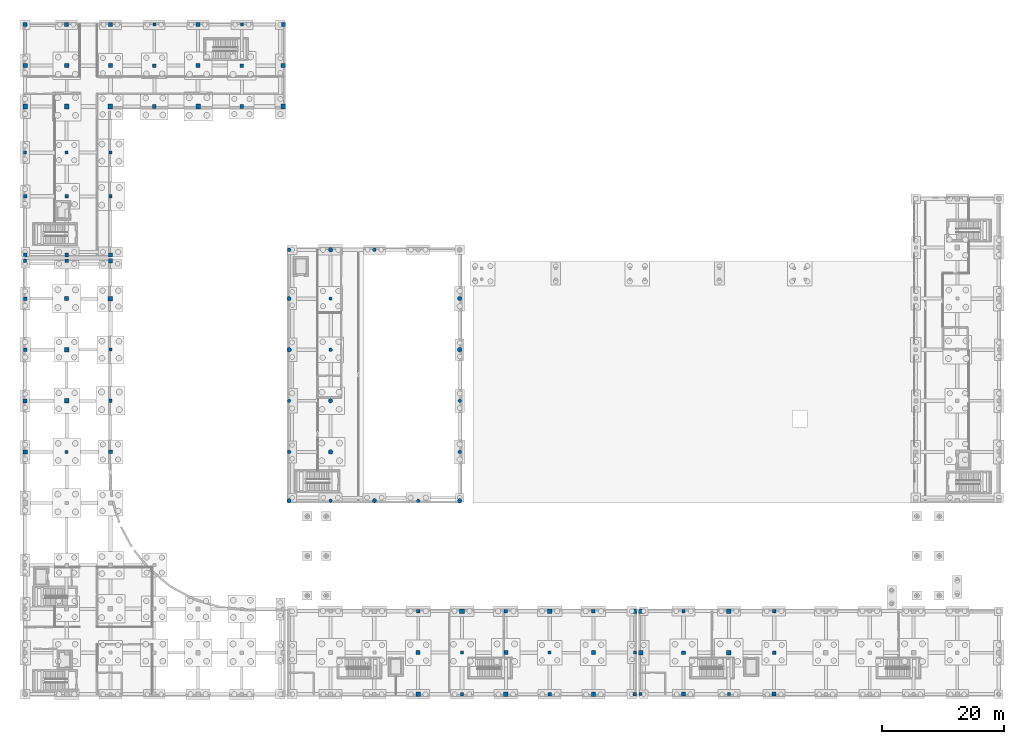
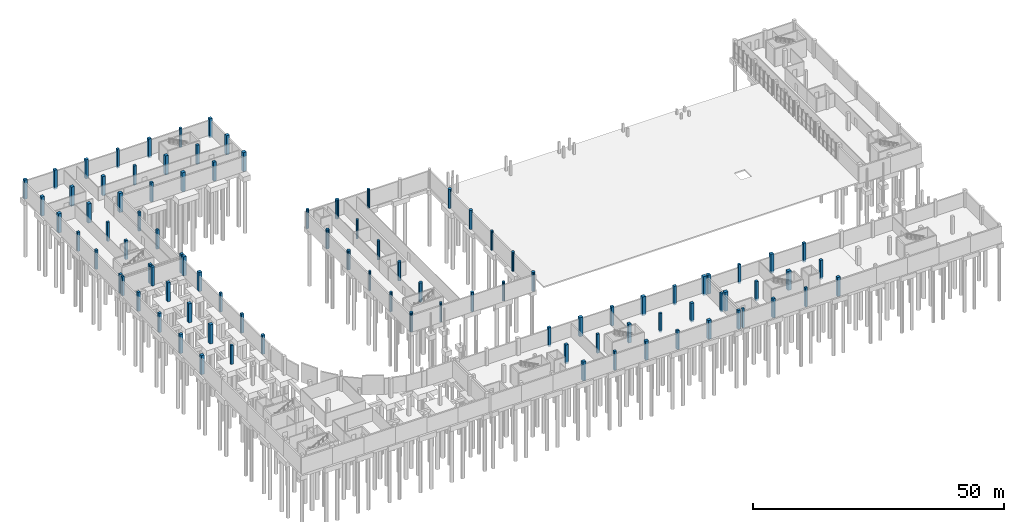
# One storey, part 13 of 41: 95 columns.
"""IFC4 building model written with IfcOpenShell, lengths in metres."""

from ifc_helpers import new_model, si_unit, direction, frame, origin, origin_2d, place, context, subcontext, project, spatial, rectangle, circle, extrude, material, material_profile, profile_set, type_object, element, save


model = new_model("IFC4")

# Units and contexts
model_context = context("Model", 3, precision=1e-05, world=origin(), true_north=direction((0.0, 1.0)))
body_context = subcontext(model_context, "Body", "Model", "MODEL_VIEW")
ifc_project = project(units=[si_unit("LENGTHUNIT", "METRE"), si_unit("AREAUNIT", "SQUARE_METRE"), si_unit("VOLUMEUNIT", "CUBIC_METRE"), si_unit("PLANEANGLEUNIT", "RADIAN"), si_unit("MASSUNIT", "GRAM", prefix="KILO")], contexts=[model_context])

# Site, building, storey
site_placement = place(None, origin())
site = spatial("IfcSite", under=ifc_project, at=site_placement, CompositionType="ELEMENT")
building_placement = place(site_placement, origin())
building = spatial("IfcBuilding", under=site, at=building_placement, Name="Vardoun Plaza Health Centre", CompositionType="ELEMENT")
storey_placement = place(building_placement, frame((0.0, 0.0, -4.5)))
storey = spatial("IfcBuildingStorey", under=building, at=storey_placement, Name="B1", CompositionType="ELEMENT", Elevation=-4.5)

# Columns
ifc_material_1 = material(Name="Concrete C40/50", Category="concrete")
ifc_material_profile_1 = material_profile(ifc_material_1, rectangle(XDim=0.5, YDim=0.5, at=origin_2d()), Name="RC-COL 500x500")
ifc_profile_set_1 = profile_set([ifc_material_profile_1], Name="Concrete C40/50")
column_type_1 = type_object("IfcColumnType", Name="C-06", PredefinedType="COLUMN", material=ifc_profile_set_1)
for number, where, z_axis, x_axis, name in (
    (1, (4.8798828125, 76.1201171875, -0.419921875), (0.0, 0.0, 1.0), (1.0, 0.0, 0.0), "V2 B1 Column C-V2-10"),
    (2, (11.699951171875, 44.699951171875, -0.419921875), (0.0, 0.0, 1.0), (1.0, 0.0, 0.0), "V2 B1 Column C-V2-16"),
    (3, (18.89990234375, 61.5, -0.419921875), (0.0, 0.0, 1.0), (1.0, 0.0, 0.0), "V2 B1 Column C-V2-28"),
):
    element("IfcColumn", number, at=place(storey_placement, frame(where, z_axis=z_axis, x_axis=x_axis)), inside=storey, type_object=column_type_1, Name=name, PredefinedType="COLUMN", context=body_context, shape_type="SweptSolid", body=[
        extrude(rectangle(XDim=0.5, YDim=0.5, at=origin_2d()), origin(), (0.0, 0.0, 1.0), 4.639892578125),
    ])
for number, where, z_axis, x_axis, name in (
    (4, (4.8798828125, 93.900146484375, -0.419921875), (0.0, 0.0, 1.0), (1.0, 0.0, 0.0), "V3 B1 Column C-V3-03"),
    (5, (11.699951171875, 93.900146484375, -0.419921875), (0.0, 0.0, 1.0), (1.0, 0.0, 0.0), "V3 B1 Column C-V3-09"),
    (6, (18.89990234375, 93.900146484375, -0.419921875), (0.0, 0.0, 1.0), (1.0, 0.0, 0.0), "V3 B1 Column C-V3-15"),
    (7, (26.10009765625, 114.919921875, -0.419921875), (0.0, 0.0, 1.0), (1.0, 0.0, 0.0), "V3 B1 Column C-V3-21"),
    (8, (40.5, 114.919921875, -0.419921875), (0.0, 0.0, 1.0), (1.0, 0.0, 0.0), "V3 B1 Column C-V3-27"),
):
    element("IfcColumn", number, at=place(storey_placement, frame(where, z_axis=z_axis, x_axis=x_axis)), inside=storey, type_object=column_type_1, Name=name, PredefinedType="COLUMN", context=body_context, shape_type="SweptSolid", body=[
        extrude(rectangle(XDim=0.5, YDim=0.5, at=origin_2d()), origin(), (0.0, 0.0, 1.0), 4.655029296875),
    ])
for number, where, z_axis, x_axis, name in (
    (9, (76.679931640625, 11.699951171875, -0.419921875), (0.0, 0.0, 1.0), (1.0, 0.0, 0.0), "V4 B1 Column C-V4-14"),
    (10, (91.080078125, 11.699951171875, -0.419921875), (0.0, 0.0, 1.0), (1.0, 0.0, 0.0), "V4 B1 Column C-V4-20"),
    (11, (105.10009765625, 11.699951171875, -0.419921875), (0.0, 0.0, 1.0), (1.0, 0.0, 0.0), "V4 B1 Column C-V4-26"),
):
    element("IfcColumn", number, at=place(storey_placement, frame(where, z_axis=z_axis, x_axis=x_axis)), inside=storey, type_object=column_type_1, Name=name, PredefinedType="COLUMN", context=body_context, shape_type="SweptSolid", body=[
        extrude(rectangle(XDim=0.5, YDim=0.5, at=origin_2d()), origin(), (0.0, 0.0, 1.0), 4.60498046875),
    ])
for number, where, z_axis, x_axis, name in (
    (12, (106.0400390625, 4.8798828125, -0.419921875), (0.0, 0.0, 1.0), (1.0, 0.0, 0.0), "V5 B1 Column C-V5-01"),
    (13, (120.5400390625, 4.8798828125, -0.419921875), (0.0, 0.0, 1.0), (1.0, 0.0, 0.0), "V5 B1 Column C-V5-07"),
):
    element("IfcColumn", number, at=place(storey_placement, frame(where, z_axis=z_axis, x_axis=x_axis)), inside=storey, type_object=column_type_1, Name=name, PredefinedType="COLUMN", context=body_context, shape_type="SweptSolid", body=[
        extrude(rectangle(XDim=0.5, YDim=0.5, at=origin_2d()), origin(), (0.0, 0.0, 1.0), 4.625),
    ])
ifc_material_2 = material(Name="Concrete C40/50", Category="concrete")
ifc_material_profile_2 = material_profile(ifc_material_2, rectangle(XDim=0.550048828125, YDim=0.550048828125, at=origin_2d()), Name="RC-COL 550x550")
ifc_profile_set_2 = profile_set([ifc_material_profile_2], Name="Concrete C40/50")
column_type_2 = type_object("IfcColumnType", Name="C-05", PredefinedType="COLUMN", material=ifc_profile_set_2)
for number, where, z_axis, x_axis, name in (
    (14, (4.8798828125, 69.900146484375, -0.419921875), (0.0, 0.0, 1.0), (1.0, 0.0, 0.0), "V2 B1 Column C-V2-09"),
    (15, (18.89990234375, 53.10009765625, -0.419921875), (0.0, 0.0, 1.0), (1.0, 0.0, 0.0), "V2 B1 Column C-V2-27"),
):
    element("IfcColumn", number, at=place(storey_placement, frame(where, z_axis=z_axis, x_axis=x_axis)), inside=storey, type_object=column_type_2, Name=name, PredefinedType="COLUMN", context=body_context, shape_type="SweptSolid", body=[
        extrude(rectangle(XDim=0.550048828125, YDim=0.550048828125, at=origin_2d()), origin(), (0.0, 0.0, 1.0), 4.639892578125),
    ])
for number, where, z_axis, x_axis, name in (
    (16, (4.8798828125, 86.699951171875, -0.419921875), (0.0, 0.0, 1.0), (1.0, 0.0, 0.0), "V3 B1 Column C-V3-02"),
    (17, (11.699951171875, 86.699951171875, -0.419921875), (0.0, 0.0, 1.0), (1.0, 0.0, 0.0), "V3 B1 Column C-V3-08"),
    (18, (18.89990234375, 86.699951171875, -0.419921875), (0.0, 0.0, 1.0), (1.0, 0.0, 0.0), "V3 B1 Column C-V3-14"),
    (19, (26.10009765625, 108.199951171875, -0.419921875), (0.0, 0.0, 1.0), (1.0, 0.0, 0.0), "V3 B1 Column C-V3-20"),
    (20, (40.5, 108.199951171875, -0.419921875), (0.0, 0.0, 1.0), (1.0, 0.0, 0.0), "V3 B1 Column C-V3-26"),
):
    element("IfcColumn", number, at=place(storey_placement, frame(where, z_axis=z_axis, x_axis=x_axis)), inside=storey, type_object=column_type_2, Name=name, PredefinedType="COLUMN", context=body_context, shape_type="SweptSolid", body=[
        extrude(rectangle(XDim=0.550048828125, YDim=0.550048828125, at=origin_2d()), origin(), (0.0, 0.0, 1.0), 4.655029296875),
    ])
for number, where, z_axis, x_axis, name in (
    (21, (76.679931640625, 4.8798828125, -0.419921875), (0.0, 0.0, 1.0), (1.0, 0.0, 0.0), "V4 B1 Column C-V4-13"),
    (22, (91.080078125, 4.8798828125, -0.419921875), (0.0, 0.0, 1.0), (1.0, 0.0, 0.0), "V4 B1 Column C-V4-19"),
    (23, (105.10009765625, 4.8798828125, -0.419921875), (0.0, 0.0, 1.0), (1.0, 0.0, 0.0), "V4 B1 Column C-V4-25"),
):
    element("IfcColumn", number, at=place(storey_placement, frame(where, z_axis=z_axis, x_axis=x_axis)), inside=storey, type_object=column_type_2, Name=name, PredefinedType="COLUMN", context=body_context, shape_type="SweptSolid", body=[
        extrude(rectangle(XDim=0.550048828125, YDim=0.550048828125, at=origin_2d()), origin(), (0.0, 0.0, 1.0), 4.60498046875),
    ])
for number, where, z_axis, x_axis, name in (
    (24, (113.10009765625, 18.52001953125, -0.419921875), (0.0, 0.0, 1.0), (1.0, 0.0, 0.0), "V5 B1 Column C-V5-06"),
    (25, (127.97998046875, 18.52001953125, -0.419921875), (0.0, 0.0, 1.0), (1.0, 0.0, 0.0), "V5 B1 Column C-V5-12"),
):
    element("IfcColumn", number, at=place(storey_placement, frame(where, z_axis=z_axis, x_axis=x_axis)), inside=storey, type_object=column_type_2, Name=name, PredefinedType="COLUMN", context=body_context, shape_type="SweptSolid", body=[
        extrude(rectangle(XDim=0.550048828125, YDim=0.550048828125, at=origin_2d()), origin(), (0.0, 0.0, 1.0), 4.625),
    ])
ifc_material_3 = material(Name="Concrete C40/50", Category="concrete")
ifc_material_profile_3 = material_profile(ifc_material_3, rectangle(XDim=0.60009765625, YDim=0.60009765625, at=origin_2d()), Name="RC-COL 600x600")
ifc_profile_set_3 = profile_set([ifc_material_profile_3], Name="Concrete C40/50")
column_type_3 = type_object("IfcColumnType", Name="C-04", PredefinedType="COLUMN", material=ifc_profile_set_3)
for number, where, z_axis, x_axis, name in (
    (26, (4.8798828125, 61.5, -0.419921875), (0.0, 0.0, 1.0), (1.0, 0.0, 0.0), "V2 B1 Column C-V2-08"),
    (27, (11.699951171875, 76.1201171875, -0.419921875), (0.0, 0.0, 1.0), (1.0, 0.0, 0.0), "V2 B1 Column C-V2-20"),
    (28, (18.89990234375, 44.699951171875, -0.419921875), (0.0, 0.0, 1.0), (1.0, 0.0, 0.0), "V2 B1 Column C-V2-26"),
):
    element("IfcColumn", number, at=place(storey_placement, frame(where, z_axis=z_axis, x_axis=x_axis)), inside=storey, type_object=column_type_3, Name=name, PredefinedType="COLUMN", context=body_context, shape_type="SweptSolid", body=[
        extrude(rectangle(XDim=0.60009765625, YDim=0.60009765625, at=origin_2d()), origin(), (0.0, 0.0, 1.0), 4.639892578125),
    ])
for number, where, z_axis, x_axis, name in (
    (29, (4.8798828125, 77.06005859375, -0.419921875), (0.0, 0.0, 1.0), (1.0, 0.0, 0.0), "V3 B1 Column C-V3-01"),
    (30, (11.699951171875, 77.06005859375, -0.419921875), (0.0, 0.0, 1.0), (1.0, 0.0, 0.0), "V3 B1 Column C-V3-07"),
    (31, (18.89990234375, 77.06005859375, -0.419921875), (0.0, 0.0, 1.0), (1.0, 0.0, 0.0), "V3 B1 Column C-V3-13"),
    (32, (26.10009765625, 101.47998046875, -0.419921875), (0.0, 0.0, 1.0), (1.0, 0.0, 0.0), "V3 B1 Column C-V3-19"),
    (33, (40.5, 101.47998046875, -0.419921875), (0.0, 0.0, 1.0), (1.0, 0.0, 0.0), "V3 B1 Column C-V3-25"),
):
    element("IfcColumn", number, at=place(storey_placement, frame(where, z_axis=z_axis, x_axis=x_axis)), inside=storey, type_object=column_type_3, Name=name, PredefinedType="COLUMN", context=body_context, shape_type="SweptSolid", body=[
        extrude(rectangle(XDim=0.60009765625, YDim=0.60009765625, at=origin_2d()), origin(), (0.0, 0.0, 1.0), 4.655029296875),
    ])
for number, where, z_axis, x_axis, name in (
    (34, (69.47998046875, 18.52001953125, -0.419921875), (0.0, 0.0, 1.0), (1.0, 0.0, 0.0), "V4 B1 Column C-V4-12"),
    (35, (83.8798828125, 18.52001953125, -0.419921875), (0.0, 0.0, 1.0), (1.0, 0.0, 0.0), "V4 B1 Column C-V4-18"),
    (36, (98.280029296875, 18.52001953125, -0.419921875), (0.0, 0.0, 1.0), (1.0, 0.0, 0.0), "V4 B1 Column C-V4-24"),
):
    element("IfcColumn", number, at=place(storey_placement, frame(where, z_axis=z_axis, x_axis=x_axis)), inside=storey, type_object=column_type_3, Name=name, PredefinedType="COLUMN", context=body_context, shape_type="SweptSolid", body=[
        extrude(rectangle(XDim=0.60009765625, YDim=0.60009765625, at=origin_2d()), origin(), (0.0, 0.0, 1.0), 4.60498046875),
    ])
for number, where, z_axis, x_axis, name in (
    (37, (113.10009765625, 11.699951171875, -0.419921875), (0.0, 0.0, 1.0), (1.0, 0.0, 0.0), "V5 B1 Column C-V5-05"),
    (38, (127.97998046875, 11.699951171875, -0.419921875), (0.0, 0.0, 1.0), (1.0, 0.0, 0.0), "V5 B1 Column C-V5-11"),
):
    element("IfcColumn", number, at=place(storey_placement, frame(where, z_axis=z_axis, x_axis=x_axis)), inside=storey, type_object=column_type_3, Name=name, PredefinedType="COLUMN", context=body_context, shape_type="SweptSolid", body=[
        extrude(rectangle(XDim=0.60009765625, YDim=0.60009765625, at=origin_2d()), origin(), (0.0, 0.0, 1.0), 4.625),
    ])
ifc_material_4 = material(Name="Concrete C40/50", Category="concrete")
ifc_material_profile_4 = material_profile(ifc_material_4, rectangle(XDim=0.64990234375, YDim=0.64990234375, at=origin_2d()), Name="RC-COL 650x650")
ifc_profile_set_4 = profile_set([ifc_material_profile_4], Name="Concrete C40/50")
column_type_4 = type_object("IfcColumnType", Name="C-03", PredefinedType="COLUMN", material=ifc_profile_set_4)
for number, where, z_axis, x_axis, name in (
    (39, (4.8798828125, 53.10009765625, -0.419921875), (0.0, 0.0, 1.0), (1.0, 0.0, 0.0), "V2 B1 Column C-V2-07"),
    (40, (11.699951171875, 69.900146484375, -0.419921875), (0.0, 0.0, 1.0), (1.0, 0.0, 0.0), "V2 B1 Column C-V2-19"),
):
    element("IfcColumn", number, at=place(storey_placement, frame(where, z_axis=z_axis, x_axis=x_axis)), inside=storey, type_object=column_type_4, Name=name, PredefinedType="COLUMN", context=body_context, shape_type="SweptSolid", body=[
        extrude(rectangle(XDim=0.64990234375, YDim=0.64990234375, at=origin_2d()), origin(), (0.0, 0.0, 1.0), 4.639892578125),
    ])
for number, where, z_axis, x_axis, name in (
    (41, (4.8798828125, 114.919921875, -0.419921875), (0.0, 0.0, 1.0), (1.0, 0.0, 0.0), "V3 B1 Column C-V3-06"),
    (42, (11.699951171875, 114.919921875, -0.419921875), (0.0, 0.0, 1.0), (1.0, 0.0, 0.0), "V3 B1 Column C-V3-12"),
    (43, (18.89990234375, 114.919921875, -0.419921875), (0.0, 0.0, 1.0), (1.0, 0.0, 0.0), "V3 B1 Column C-V3-18"),
    (44, (33.300048828125, 114.919921875, -0.419921875), (0.0, 0.0, 1.0), (1.0, 0.0, 0.0), "V3 B1 Column C-V3-24"),
    (45, (47.320068359375, 114.919921875, -0.419921875), (0.0, 0.0, 1.0), (1.0, 0.0, 0.0), "V3 B1 Column C-V3-30"),
):
    element("IfcColumn", number, at=place(storey_placement, frame(where, z_axis=z_axis, x_axis=x_axis)), inside=storey, type_object=column_type_4, Name=name, PredefinedType="COLUMN", context=body_context, shape_type="SweptSolid", body=[
        extrude(rectangle(XDim=0.64990234375, YDim=0.64990234375, at=origin_2d()), origin(), (0.0, 0.0, 1.0), 4.655029296875),
    ])
for number, where, z_axis, x_axis, name in (
    (46, (69.47998046875, 11.699951171875, -0.419921875), (0.0, 0.0, 1.0), (1.0, 0.0, 0.0), "V4 B1 Column C-V4-11"),
    (47, (83.8798828125, 11.699951171875, -0.419921875), (0.0, 0.0, 1.0), (1.0, 0.0, 0.0), "V4 B1 Column C-V4-17"),
    (48, (98.280029296875, 11.699951171875, -0.419921875), (0.0, 0.0, 1.0), (1.0, 0.0, 0.0), "V4 B1 Column C-V4-23"),
):
    element("IfcColumn", number, at=place(storey_placement, frame(where, z_axis=z_axis, x_axis=x_axis)), inside=storey, type_object=column_type_4, Name=name, PredefinedType="COLUMN", context=body_context, shape_type="SweptSolid", body=[
        extrude(rectangle(XDim=0.64990234375, YDim=0.64990234375, at=origin_2d()), origin(), (0.0, 0.0, 1.0), 4.60498046875),
    ])
for number, where, z_axis, x_axis, name in (
    (49, (113.10009765625, 4.8798828125, -0.419921875), (0.0, 0.0, 1.0), (1.0, 0.0, 0.0), "V5 B1 Column C-V5-04"),
    (50, (127.97998046875, 4.8798828125, -0.419921875), (0.0, 0.0, 1.0), (1.0, 0.0, 0.0), "V5 B1 Column C-V5-10"),
):
    element("IfcColumn", number, at=place(storey_placement, frame(where, z_axis=z_axis, x_axis=x_axis)), inside=storey, type_object=column_type_4, Name=name, PredefinedType="COLUMN", context=body_context, shape_type="SweptSolid", body=[
        extrude(rectangle(XDim=0.64990234375, YDim=0.64990234375, at=origin_2d()), origin(), (0.0, 0.0, 1.0), 4.625),
    ])
ifc_material_5 = material(Name="Concrete C40/50", Category="concrete")
ifc_material_profile_5 = material_profile(ifc_material_5, rectangle(XDim=0.699951171875, YDim=0.699951171875, at=origin_2d()), Name="RC-COL 700x700")
ifc_profile_set_5 = profile_set([ifc_material_profile_5], Name="Concrete C40/50")
column_type_5 = type_object("IfcColumnType", Name="C-02", PredefinedType="COLUMN", material=ifc_profile_set_5)
for number, where, z_axis, x_axis, name in (
    (51, (4.8798828125, 44.699951171875, -0.419921875), (0.0, 0.0, 1.0), (1.0, 0.0, 0.0), "V2 B1 Column C-V2-06"),
    (52, (11.699951171875, 61.5, -0.419921875), (0.0, 0.0, 1.0), (1.0, 0.0, 0.0), "V2 B1 Column C-V2-18"),
    (53, (18.89990234375, 76.1201171875, -0.419921875), (0.0, 0.0, 1.0), (1.0, 0.0, 0.0), "V2 B1 Column C-V2-30"),
):
    element("IfcColumn", number, at=place(storey_placement, frame(where, z_axis=z_axis, x_axis=x_axis)), inside=storey, type_object=column_type_5, Name=name, PredefinedType="COLUMN", context=body_context, shape_type="SweptSolid", body=[
        extrude(rectangle(XDim=0.699951171875, YDim=0.699951171875, at=origin_2d()), origin(), (0.0, 0.0, 1.0), 4.639892578125),
    ])
for number, where, z_axis, x_axis, name in (
    (54, (4.8798828125, 108.199951171875, -0.419921875), (0.0, 0.0, 1.0), (1.0, 0.0, 0.0), "V3 B1 Column C-V3-05"),
    (55, (11.699951171875, 108.199951171875, -0.419921875), (0.0, 0.0, 1.0), (1.0, 0.0, 0.0), "V3 B1 Column C-V3-11"),
    (56, (18.89990234375, 108.199951171875, -0.419921875), (0.0, 0.0, 1.0), (1.0, 0.0, 0.0), "V3 B1 Column C-V3-17"),
    (57, (33.300048828125, 108.199951171875, -0.419921875), (0.0, 0.0, 1.0), (1.0, 0.0, 0.0), "V3 B1 Column C-V3-23"),
    (58, (47.320068359375, 108.199951171875, -0.419921875), (0.0, 0.0, 1.0), (1.0, 0.0, 0.0), "V3 B1 Column C-V3-29"),
):
    element("IfcColumn", number, at=place(storey_placement, frame(where, z_axis=z_axis, x_axis=x_axis)), inside=storey, type_object=column_type_5, Name=name, PredefinedType="COLUMN", context=body_context, shape_type="SweptSolid", body=[
        extrude(rectangle(XDim=0.699951171875, YDim=0.699951171875, at=origin_2d()), origin(), (0.0, 0.0, 1.0), 4.655029296875),
    ])
for number, where, z_axis, x_axis, name in (
    (59, (69.47998046875, 4.8798828125, -0.419921875), (0.0, 0.0, 1.0), (1.0, 0.0, 0.0), "V4 B1 Column C-V4-10"),
    (60, (83.8798828125, 4.8798828125, -0.419921875), (0.0, 0.0, 1.0), (1.0, 0.0, 0.0), "V4 B1 Column C-V4-16"),
    (61, (98.280029296875, 4.8798828125, -0.419921875), (0.0, 0.0, 1.0), (1.0, 0.0, 0.0), "V4 B1 Column C-V4-22"),
):
    element("IfcColumn", number, at=place(storey_placement, frame(where, z_axis=z_axis, x_axis=x_axis)), inside=storey, type_object=column_type_5, Name=name, PredefinedType="COLUMN", context=body_context, shape_type="SweptSolid", body=[
        extrude(rectangle(XDim=0.699951171875, YDim=0.699951171875, at=origin_2d()), origin(), (0.0, 0.0, 1.0), 4.60498046875),
    ])
for number, where, z_axis, x_axis, name in (
    (62, (106.0400390625, 18.52001953125, -0.419921875), (0.0, 0.0, 1.0), (1.0, 0.0, 0.0), "V5 B1 Column C-V5-03"),
    (63, (120.5400390625, 18.52001953125, -0.419921875), (0.0, 0.0, 1.0), (1.0, 0.0, 0.0), "V5 B1 Column C-V5-09"),
):
    element("IfcColumn", number, at=place(storey_placement, frame(where, z_axis=z_axis, x_axis=x_axis)), inside=storey, type_object=column_type_5, Name=name, PredefinedType="COLUMN", context=body_context, shape_type="SweptSolid", body=[
        extrude(rectangle(XDim=0.699951171875, YDim=0.699951171875, at=origin_2d()), origin(), (0.0, 0.0, 1.0), 4.625),
    ])
ifc_material_6 = material(Name="Concrete C40/50", Category="concrete")
ifc_material_profile_6 = material_profile(ifc_material_6, rectangle(XDim=0.75, YDim=0.75, at=origin_2d()), Name="RC-COL 750x750")
ifc_profile_set_6 = profile_set([ifc_material_profile_6], Name="Concrete C40/50")
column_type_6 = type_object("IfcColumnType", Name="C-01", PredefinedType="COLUMN", material=ifc_profile_set_6)
for number, where, z_axis, x_axis, name in (
    (64, (11.699951171875, 53.10009765625, -0.419921875), (0.0, 0.0, 1.0), (1.0, 0.0, 0.0), "V2 B1 Column C-V2-17"),
    (65, (18.89990234375, 69.900146484375, -0.419921875), (0.0, 0.0, 1.0), (1.0, 0.0, 0.0), "V2 B1 Column C-V2-29"),
):
    element("IfcColumn", number, at=place(storey_placement, frame(where, z_axis=z_axis, x_axis=x_axis)), inside=storey, type_object=column_type_6, Name=name, PredefinedType="COLUMN", context=body_context, shape_type="SweptSolid", body=[
        extrude(rectangle(XDim=0.75, YDim=0.75, at=origin_2d()), origin(), (0.0, 0.0, 1.0), 4.639892578125),
    ])
for number, where, z_axis, x_axis, name in (
    (66, (4.8798828125, 101.47998046875, -0.419921875), (0.0, 0.0, 1.0), (1.0, 0.0, 0.0), "V3 B1 Column C-V3-04"),
    (67, (11.699951171875, 101.47998046875, -0.419921875), (0.0, 0.0, 1.0), (1.0, 0.0, 0.0), "V3 B1 Column C-V3-10"),
    (68, (18.89990234375, 101.47998046875, -0.419921875), (0.0, 0.0, 1.0), (1.0, 0.0, 0.0), "V3 B1 Column C-V3-16"),
    (69, (33.300048828125, 101.47998046875, -0.419921875), (0.0, 0.0, 1.0), (1.0, 0.0, 0.0), "V3 B1 Column C-V3-22"),
    (70, (47.320068359375, 101.47998046875, -0.419921875), (0.0, 0.0, 1.0), (1.0, 0.0, 0.0), "V3 B1 Column C-V3-28"),
):
    element("IfcColumn", number, at=place(storey_placement, frame(where, z_axis=z_axis, x_axis=x_axis)), inside=storey, type_object=column_type_6, Name=name, PredefinedType="COLUMN", context=body_context, shape_type="SweptSolid", body=[
        extrude(rectangle(XDim=0.75, YDim=0.75, at=origin_2d()), origin(), (0.0, 0.0, 1.0), 4.655029296875),
    ])
for number, where, z_axis, x_axis, name in (
    (71, (76.679931640625, 18.52001953125, -0.419921875), (0.0, 0.0, 1.0), (1.0, 0.0, 0.0), "V4 B1 Column C-V4-15"),
    (72, (91.080078125, 18.52001953125, -0.419921875), (0.0, 0.0, 1.0), (1.0, 0.0, 0.0), "V4 B1 Column C-V4-21"),
    (73, (105.10009765625, 18.52001953125, -0.419921875), (0.0, 0.0, 1.0), (1.0, 0.0, 0.0), "V4 B1 Column C-V4-27"),
):
    element("IfcColumn", number, at=place(storey_placement, frame(where, z_axis=z_axis, x_axis=x_axis)), inside=storey, type_object=column_type_6, Name=name, PredefinedType="COLUMN", context=body_context, shape_type="SweptSolid", body=[
        extrude(rectangle(XDim=0.75, YDim=0.75, at=origin_2d()), origin(), (0.0, 0.0, 1.0), 4.60498046875),
    ])
for number, where, z_axis, x_axis, name in (
    (74, (106.0400390625, 11.699951171875, -0.419921875), (0.0, 0.0, 1.0), (1.0, 0.0, 0.0), "V5 B1 Column C-V5-02"),
    (75, (120.5400390625, 11.699951171875, -0.419921875), (0.0, 0.0, 1.0), (1.0, 0.0, 0.0), "V5 B1 Column C-V5-08"),
):
    element("IfcColumn", number, at=place(storey_placement, frame(where, z_axis=z_axis, x_axis=x_axis)), inside=storey, type_object=column_type_6, Name=name, PredefinedType="COLUMN", context=body_context, shape_type="SweptSolid", body=[
        extrude(rectangle(XDim=0.75, YDim=0.75, at=origin_2d()), origin(), (0.0, 0.0, 1.0), 4.625),
    ])
ifc_material_7 = material(Name="Pale Limestone Concrete C40/50", Category="masonry")
ifc_material_profile_7 = material_profile(ifc_material_7, circle(Radius=0.27490234375, at=origin_2d()), Name="RC-COL D550")
ifc_profile_set_7 = profile_set([ifc_material_profile_7], Name="Pale Limestone Concrete C40/50")
column_type_7 = type_object("IfcColumnType", Name="C-16", PredefinedType="COLUMN", material=ifc_profile_set_7)
for number, where, z_axis, x_axis, name in (
    (76, (48.260009765625, 53.10009765625, -0.419921875), (0.0, 0.0, 1.0), (1.0, 0.0, 0.0), "V1 B1 Column C-V1-03"),
    (77, (55.080078125, 36.679931640625, -0.419921875), (0.0, 0.0, 1.0), (1.0, 0.0, 0.0), "V1 B1 Column C-V1-07"),
    (78, (55.080078125, 69.900146484375, -0.419921875), (0.0, 0.0, 1.0), (1.0, 0.0, 0.0), "V1 B1 Column C-V1-11"),
    (79, (69.47998046875, 36.679931640625, -0.419921875), (0.0, 0.0, 1.0), (1.0, 0.0, 0.0), "V1 B1 Column C-V1-15"),
    (80, (76.300048828125, 53.10009765625, -0.419921875), (0.0, 0.0, 1.0), (1.0, 0.0, 0.0), "V1 B1 Column C-V1-19"),
):
    element("IfcColumn", number, at=place(storey_placement, frame(where, z_axis=z_axis, x_axis=x_axis)), inside=storey, type_object=column_type_7, Name=name, PredefinedType="COLUMN", context=body_context, shape_type="SweptSolid", body=[
        extrude(circle(Radius=0.27490234375, at=origin_2d()), origin(), (0.0, 0.0, 1.0), 4.639892578125),
    ])
ifc_material_8 = material(Name="Pale Limestone Concrete C40/50", Category="masonry")
ifc_material_profile_8 = material_profile(ifc_material_8, circle(Radius=0.300048828125, at=origin_2d()), Name="RC-COL D600")
ifc_profile_set_8 = profile_set([ifc_material_profile_8], Name="Pale Limestone Concrete C40/50")
column_type_8 = type_object("IfcColumnType", Name="C-15", PredefinedType="COLUMN", material=ifc_profile_set_8)
for number, where, z_axis, x_axis, name in (
    (81, (48.260009765625, 44.699951171875, -0.419921875), (0.0, 0.0, 1.0), (1.0, 0.0, 0.0), "V1 B1 Column C-V1-02"),
    (82, (48.260009765625, 77.919921875, -0.419921875), (0.0, 0.0, 1.0), (1.0, 0.0, 0.0), "V1 B1 Column C-V1-06"),
    (83, (55.080078125, 61.5, -0.419921875), (0.0, 0.0, 1.0), (1.0, 0.0, 0.0), "V1 B1 Column C-V1-10"),
    (84, (62.280029296875, 77.919921875, -0.419921875), (0.0, 0.0, 1.0), (1.0, 0.0, 0.0), "V1 B1 Column C-V1-14"),
    (85, (76.300048828125, 44.699951171875, -0.419921875), (0.0, 0.0, 1.0), (1.0, 0.0, 0.0), "V1 B1 Column C-V1-18"),
):
    element("IfcColumn", number, at=place(storey_placement, frame(where, z_axis=z_axis, x_axis=x_axis)), inside=storey, type_object=column_type_8, Name=name, PredefinedType="COLUMN", context=body_context, shape_type="SweptSolid", body=[
        extrude(circle(Radius=0.300048828125, at=origin_2d()), origin(), (0.0, 0.0, 1.0), 4.639892578125),
    ])
ifc_material_9 = material(Name="Pale Limestone Concrete C40/50", Category="masonry")
ifc_material_profile_9 = material_profile(ifc_material_9, circle(Radius=0.35009765625, at=origin_2d()), Name="RC-COL D700")
ifc_profile_set_9 = profile_set([ifc_material_profile_9], Name="Pale Limestone Concrete C40/50")
column_type_9 = type_object("IfcColumnType", Name="C-14", PredefinedType="COLUMN", material=ifc_profile_set_9)
for number, where, z_axis, x_axis, name in (
    (86, (48.260009765625, 36.679931640625, -0.419921875), (0.0, 0.0, 1.0), (1.0, 0.0, 0.0), "V1 B1 Column C-V1-01"),
    (87, (48.260009765625, 69.900146484375, -0.419921875), (0.0, 0.0, 1.0), (1.0, 0.0, 0.0), "V1 B1 Column C-V1-05"),
    (88, (55.080078125, 53.10009765625, -0.419921875), (0.0, 0.0, 1.0), (1.0, 0.0, 0.0), "V1 B1 Column C-V1-09"),
    (89, (62.280029296875, 36.679931640625, -0.419921875), (0.0, 0.0, 1.0), (1.0, 0.0, 0.0), "V1 B1 Column C-V1-13"),
    (90, (76.300048828125, 36.679931640625, -0.419921875), (0.0, 0.0, 1.0), (1.0, 0.0, 0.0), "V1 B1 Column C-V1-17"),
    (91, (76.300048828125, 69.900146484375, -0.419921875), (0.0, 0.0, 1.0), (1.0, 0.0, 0.0), "V1 B1 Column C-V1-21"),
):
    element("IfcColumn", number, at=place(storey_placement, frame(where, z_axis=z_axis, x_axis=x_axis)), inside=storey, type_object=column_type_9, Name=name, PredefinedType="COLUMN", context=body_context, shape_type="SweptSolid", body=[
        extrude(circle(Radius=0.35009765625, at=origin_2d()), origin(), (0.0, 0.0, 1.0), 4.639892578125),
    ])
ifc_material_10 = material(Name="Pale Limestone Concrete C40/50", Category="masonry")
ifc_material_profile_10 = material_profile(ifc_material_10, circle(Radius=0.375, at=origin_2d()), Name="RC-COL D750")
ifc_profile_set_10 = profile_set([ifc_material_profile_10], Name="Pale Limestone Concrete C40/50")
column_type_10 = type_object("IfcColumnType", Name="C-13", PredefinedType="COLUMN", material=ifc_profile_set_10)
for number, where, z_axis, x_axis, name in (
    (92, (48.260009765625, 61.5, -0.419921875), (0.0, 0.0, 1.0), (1.0, 0.0, 0.0), "V1 B1 Column C-V1-04"),
    (93, (55.080078125, 44.699951171875, -0.419921875), (0.0, 0.0, 1.0), (1.0, 0.0, 0.0), "V1 B1 Column C-V1-08"),
    (94, (55.080078125, 77.919921875, -0.419921875), (0.0, 0.0, 1.0), (1.0, 0.0, 0.0), "V1 B1 Column C-V1-12"),
    (95, (76.300048828125, 61.5, -0.419921875), (0.0, 0.0, 1.0), (1.0, 0.0, 0.0), "V1 B1 Column C-V1-20"),
):
    element("IfcColumn", number, at=place(storey_placement, frame(where, z_axis=z_axis, x_axis=x_axis)), inside=storey, type_object=column_type_10, Name=name, PredefinedType="COLUMN", context=body_context, shape_type="SweptSolid", body=[
        extrude(circle(Radius=0.375, at=origin_2d()), origin(), (0.0, 0.0, 1.0), 4.639892578125),
    ])

save(model, "model.ifc")
